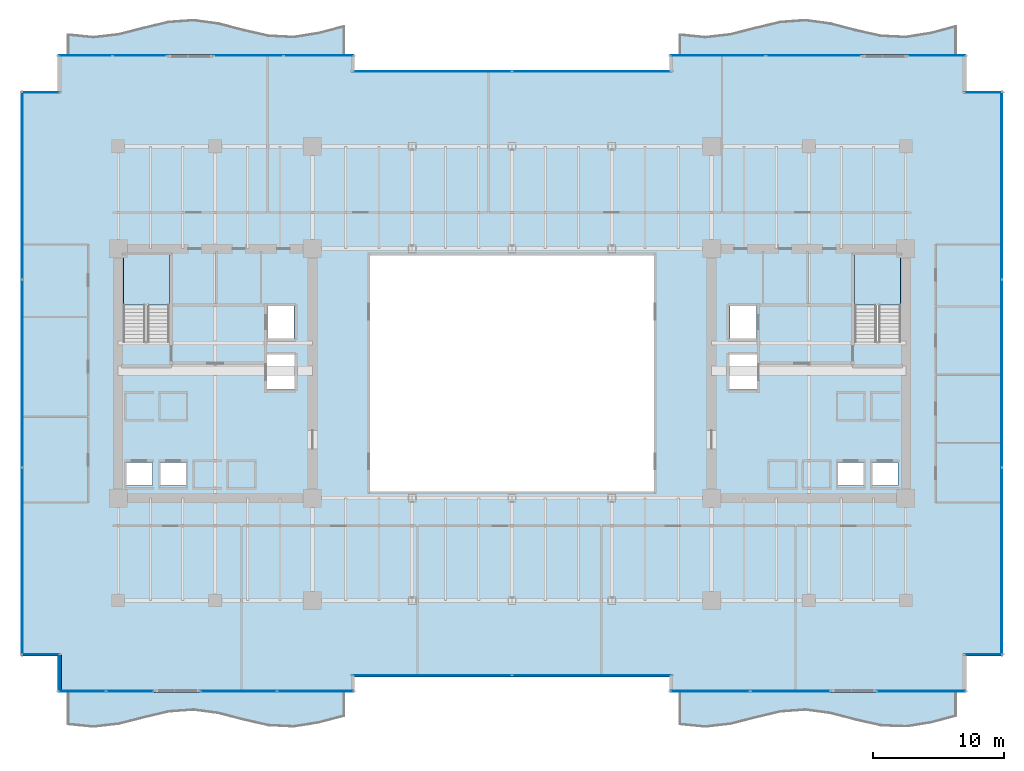
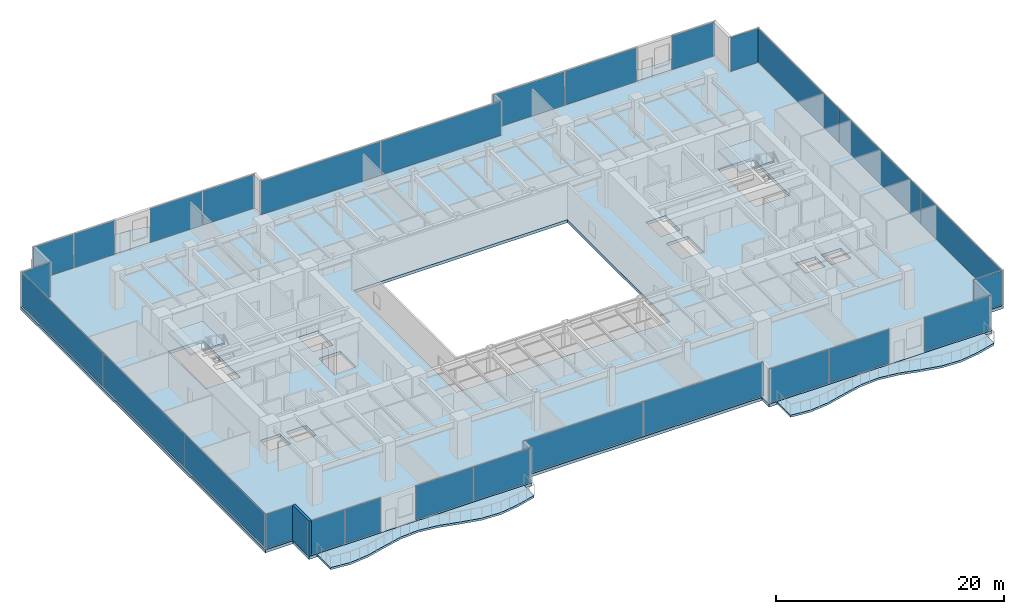
# One storey, part 23 of 31: 28 plates, 7 slabs, 1 wall, 18 elements without a shape of their own.
"""IFC4 building model written with IfcOpenShell, lengths in metres."""

import ifcopenshell
import ifcopenshell.guid

model = None  # the IFC model being written
_history = None  # IfcOwnerHistory: only IFC2X3 demands one
_inside = {}  # id of a spatial element -> (the spatial element, [elements in it])
_under = {}  # id of a project, library or spatial element -> (it, [spatial elements below it])
_declared = {}  # id of a project -> (the project, [libraries it declares])
_typed = {}  # id of a type object -> (the type object, [elements of that type])
_made_of = {}  # id of a material, layer set ... -> (it, [elements and type objects made of it])


def new_model(schema):
    """Start an empty IFC model of exactly this schema.

    Asked for "IFC4X3", IfcOpenShell would pick the latest addendum, in which some entities
    have other attributes; the version numbers below select the first issue.
    IFC2X3 requires an IfcOwnerHistory on every rooted entity: one is made here for all.
    """
    global model, _history
    if schema == "IFC4X3":
        model = ifcopenshell.file(schema_version=(4, 3, 0, 0))
    else:
        model = ifcopenshell.file(schema=schema)
    _inside.clear()
    _under.clear()
    _declared.clear()
    _typed.clear()
    _made_of.clear()
    _history = None
    if model.schema == "IFC2X3":
        org = make("IfcOrganization", Name="unknown")
        user = make(
            "IfcPersonAndOrganization",
            ThePerson=make("IfcPerson", FamilyName="unknown"),
            TheOrganization=org,
        )
        app = make(
            "IfcApplication",
            ApplicationDeveloper=org,
            Version="unknown",
            ApplicationFullName="unknown",
            ApplicationIdentifier="unknown",
        )
        _history = make(
            "IfcOwnerHistory",
            OwningUser=user,
            OwningApplication=app,
            ChangeAction="ADDED",
            CreationDate=0,
        )
    return model


def make(cls, **values):
    """One entity of the class cls with the attributes given. An attribute that is None is left unset."""
    return model.create_entity(
        cls, **{name: value for name, value in values.items() if value is not None}
    )


def rooted(cls, **values):
    """An entity with a GlobalId (a new one), such as an element, a storey or a relation."""
    return make(cls, GlobalId=ifcopenshell.guid.new(), OwnerHistory=_history, **values)


def si_unit(unit_type, name, prefix=None):
    """IfcSIUnit, for example si_unit("LENGTHUNIT", "METRE", prefix="MILLI")."""
    return make("IfcSIUnit", UnitType=unit_type, Prefix=prefix, Name=name)


def assignment(units):
    """IfcUnitAssignment: the units of a project."""
    return None if units is None else make("IfcUnitAssignment", Units=units)


def point(xyz):
    """IfcCartesianPoint."""
    return None if xyz is None else make("IfcCartesianPoint", Coordinates=xyz)


def direction(xyz):
    """IfcDirection."""
    return None if xyz is None else make("IfcDirection", DirectionRatios=xyz)


def frame(location, z_axis=None, x_axis=None):
    """IfcAxis2Placement3D, a coordinate frame: its origin and axes. An axis left out is left unset."""
    return make(
        "IfcAxis2Placement3D",
        Location=point(location),
        Axis=direction(z_axis),
        RefDirection=direction(x_axis),
    )


def frame_2d(location, x_axis=None):
    """IfcAxis2Placement2D, a coordinate frame in the plane: its origin and x axis."""
    return make(
        "IfcAxis2Placement2D", Location=point(location), RefDirection=direction(x_axis)
    )


def origin():
    """The frame at (0, 0, 0) with its axes left unset."""
    return frame((0.0, 0.0, 0.0))


def origin_2d():
    """The frame at (0, 0) in the plane with its x axis left unset."""
    return frame_2d((0.0, 0.0))


def place(relative_to, where):
    """IfcLocalPlacement: puts the frame where relative to a parent placement (None: the world)."""
    return make(
        "IfcLocalPlacement", PlacementRelTo=relative_to, RelativePlacement=where
    )


def context(
    kind, dimensions, precision=None, world=None, true_north=None, identifier=None
):
    """IfcGeometricRepresentationContext, for example the 3D "Model" context."""
    return make(
        "IfcGeometricRepresentationContext",
        ContextIdentifier=identifier,
        ContextType=kind,
        CoordinateSpaceDimension=dimensions,
        Precision=precision,
        WorldCoordinateSystem=world,
        TrueNorth=true_north,
    )


def subcontext(parent, identifier, kind, view, scale=None):
    """IfcGeometricRepresentationSubContext, for example "Body" below "Model"."""
    return make(
        "IfcGeometricRepresentationSubContext",
        ContextIdentifier=identifier,
        ContextType=kind,
        ParentContext=parent,
        TargetScale=scale,
        TargetView=view,
    )


def project(units=None, contexts=None):
    """IfcProject with its units and contexts."""
    return rooted(
        "IfcProject",
        Name="project",
        RepresentationContexts=contexts,
        UnitsInContext=assignment(units),
    )


def spatial(cls, under=None, at=None, **own):
    """A site, building, storey or space (cls), placed at a placement, below another one or the project."""
    s = rooted(cls, ObjectPlacement=at, **own)
    if under is not None:
        _under.setdefault(under.id(), (under, []))[1].append(s)
    return s


def polyline(points):
    """IfcPolyline through the points."""
    return make("IfcPolyline", Points=[point(p) for p in points])


def profile(cls, at=None, kind="AREA", **sizes):
    """A parametric profile (cls). Its sizes go by their IFC names, for example OverallWidth=200.0."""
    return make(cls, ProfileType=kind, Position=at, **sizes)


def rectangle(**sizes):
    """IfcRectangleProfileDef."""
    return profile("IfcRectangleProfileDef", **sizes)


def outline(outer, holes=None, kind="AREA"):
    """IfcArbitraryClosedProfileDef: a profile drawn as a closed curve; with holes, ...WithVoids."""
    if holes is None:
        return make("IfcArbitraryClosedProfileDef", ProfileType=kind, OuterCurve=outer)
    return make(
        "IfcArbitraryProfileDefWithVoids",
        ProfileType=kind,
        OuterCurve=outer,
        InnerCurves=holes,
    )


def extrude(swept, where, along, depth):
    """IfcExtrudedAreaSolid: the profile swept, set in the frame where, extruded along a direction by depth."""
    return make(
        "IfcExtrudedAreaSolid",
        SweptArea=swept,
        Position=where,
        ExtrudedDirection=direction(along),
        Depth=depth,
    )


def shape(context_of_items, identifier, shape_type, items):
    """IfcShapeRepresentation: the items that make up one representation, for example the "Body"."""
    return make(
        "IfcShapeRepresentation",
        ContextOfItems=context_of_items,
        RepresentationIdentifier=identifier,
        RepresentationType=shape_type,
        Items=items,
    )


def source(mapping_origin, context_of_items, identifier, shape_type, items):
    """IfcRepresentationMap: a shape defined once, which mapped items show again and again."""
    return make(
        "IfcRepresentationMap",
        MappingOrigin=mapping_origin,
        MappedRepresentation=shape(context_of_items, identifier, shape_type, items),
    )


def transform(
    local_origin,
    x_axis=None,
    y_axis=None,
    z_axis=None,
    scale=None,
    scale2=None,
    scale3=None,
    uniform=True,
):
    """IfcCartesianTransformationOperator3D, or its non-uniform kind. x_axis, y_axis, z_axis: its Axis1, 2, 3."""
    if uniform:
        return make(
            "IfcCartesianTransformationOperator3D",
            Axis1=direction(x_axis),
            Axis2=direction(y_axis),
            LocalOrigin=point(local_origin),
            Scale=scale,
            Axis3=direction(z_axis),
        )
    return make(
        "IfcCartesianTransformationOperator3DnonUniform",
        Axis1=direction(x_axis),
        Axis2=direction(y_axis),
        LocalOrigin=point(local_origin),
        Scale=scale,
        Axis3=direction(z_axis),
        Scale2=scale2,
        Scale3=scale3,
    )


def mapped(mapping_source, mapping_target):
    """IfcMappedItem: shows the shape of a source again, moved by a transform."""
    return make(
        "IfcMappedItem", MappingSource=mapping_source, MappingTarget=mapping_target
    )


def material(Name=None, Category=None):
    """IfcMaterial."""
    return make("IfcMaterial", Name=Name, Category=Category)


def layer(
    of_material, thickness, ventilated=None, Name=None, Category=None, Priority=None
):
    """IfcMaterialLayer: one layer of a wall or slab, of a material (None: an air gap)."""
    return make(
        "IfcMaterialLayer",
        Material=of_material,
        LayerThickness=thickness,
        IsVentilated=ventilated,
        Name=Name,
        Category=Category,
        Priority=Priority,
    )


def layer_set(layers, Name=None):
    """IfcMaterialLayerSet."""
    return make("IfcMaterialLayerSet", MaterialLayers=layers, LayerSetName=Name)


def made_of(thing, what):
    """Note that an element or type object is made of a material, layer set ...; save() writes the relation."""
    if what is not None:
        _made_of.setdefault(what.id(), (what, []))[1].append(thing)
    return thing


def type_object(cls, material=None, **own):
    """A type object (cls), such as IfcWallType, which elements share."""
    return made_of(rooted(cls, **own), material)


def type_shapes(of_type, sources):
    """Give a type object the sources (RepresentationMaps) that its elements show as mapped items."""
    of_type.RepresentationMaps = sources


def element(
    cls,
    number,
    at=None,
    inside=None,
    cuts=None,
    type_object=None,
    material=None,
    context=None,
    identifier="Body",
    shape_type=None,
    held_by="IfcProductDefinitionShape",
    body=None,
    shapes=None,
    **own,
):
    """One element of the class cls, such as IfcWall. Its Tag is "e" and its number.

    at: its placement. inside: the storey or other place that contains it. cuts: it is an
    opening in that element (IfcRelVoidsElement). A single representation is given by context,
    identifier, shape_type and body (its items); several are given by shapes. held_by: the class
    of the entity that holds the representations. save() writes the other relations.
    """
    e = rooted(cls, Tag="e%d" % number, ObjectPlacement=at, **own)
    if body is not None:
        shapes = [shape(context, identifier, shape_type, body)]
    if shapes is not None:
        e.Representation = make(held_by, Representations=shapes)
    if inside is not None:
        _inside.setdefault(inside.id(), (inside, []))[1].append(e)
    if cuts is not None:
        rooted(
            "IfcRelVoidsElement", RelatingBuildingElement=cuts, RelatedOpeningElement=e
        )
    if type_object is not None:
        _typed.setdefault(type_object.id(), (type_object, []))[1].append(e)
    return made_of(e, material)


def aggregate(whole, parts):
    """IfcRelAggregates: a whole, such as a stair, and the parts it consists of."""
    return rooted("IfcRelAggregates", RelatingObject=whole, RelatedObjects=parts)


def save(model, path):
    """Write the relations noted so far, then the file.

    IfcRelAggregates (storeys below a building ...), IfcRelContainedInSpatialStructure (elements
    in a storey), IfcRelDefinesByType, IfcRelAssociatesMaterial and IfcRelDeclares: one each for
    every whole, place, type object, material and project.
    """
    for whole, parts in _under.values():
        aggregate(whole, parts)
    for where, things in _inside.values():
        rooted(
            "IfcRelContainedInSpatialStructure",
            RelatedElements=things,
            RelatingStructure=where,
        )
    for kind, things in _typed.values():
        rooted("IfcRelDefinesByType", RelatedObjects=things, RelatingType=kind)
    for what, things in _made_of.values():
        rooted("IfcRelAssociatesMaterial", RelatedObjects=things, RelatingMaterial=what)
    for by, libraries in _declared.values():
        rooted("IfcRelDeclares", RelatingContext=by, RelatedDefinitions=libraries)
    model.write(path)


model = new_model("IFC4")

# Units and contexts
model_context = context("Model", 3, precision=1e-05, world=origin(), true_north=direction((0.0, 1.0)))
body_context = subcontext(model_context, "Body", "Model", "MODEL_VIEW")
ifc_project = project(units=[si_unit("LENGTHUNIT", "METRE"), si_unit("AREAUNIT", "SQUARE_METRE"), si_unit("VOLUMEUNIT", "CUBIC_METRE"), si_unit("PLANEANGLEUNIT", "RADIAN"), si_unit("MASSUNIT", "GRAM", prefix="KILO")], contexts=[model_context])

# Site, building, storey
site_placement = place(None, origin())
site = spatial("IfcSite", under=ifc_project, at=site_placement, CompositionType="ELEMENT")
building_placement = place(site_placement, origin())
building = spatial("IfcBuilding", under=site, at=building_placement, Name="Haelvirn Gate Laboratories", CompositionType="ELEMENT")
storey_placement = place(building_placement, frame((0.0, 0.0, 62.10009765625)))
storey = spatial("IfcBuildingStorey", under=building, at=storey_placement, Name="L15", CompositionType="ELEMENT", Elevation=62.10009765625)

# Stair, slab
ifc_material_1 = material(Name="Concrete C40/50", Category="concrete")
stair_type = type_object("IfcStairType", Name="ST-DOG-1650-R22", PredefinedType="HALF_TURN_STAIR", material=ifc_material_1)
stair_1_placement = place(storey_placement, origin())
stair_1 = element("IfcStair", 1, at=stair_1_placement, inside=storey, type_object=stair_type, Name="L15 Escape Stair ST1", PredefinedType="HALF_TURN_STAIR")
ifc_layer_1 = layer(ifc_material_1, 0.199951171875, Name="SL-STAIR-LND")
ifc_layer_set_1 = layer_set([ifc_layer_1], Name="Concrete C40/50")
slab_type_1 = type_object("IfcSlabType", Name="SL-STAIR-LND", PredefinedType="LANDING", material=ifc_layer_set_1)
slab_1_placement = place(storey_placement, frame((0.0, 0.0, 1.849853515625)))
slab_1 = element("IfcSlab", 2, at=slab_1_placement, type_object=slab_type_1, Name="ST1 landing 1", PredefinedType="LANDING", context=body_context, shape_type="SweptSolid", body=[
    extrude(outline(polyline([(11.300048828125, 29.5), (11.300048828125, 33.35009765625), (7.800048828125, 33.35009765625), (7.800048828125, 29.5), (11.300048828125, 29.5)])), origin(), (0.0, 0.0, 1.0), 0.199951171875),
])
aggregate(stair_1, [slab_1])

stair_2_placement = place(storey_placement, origin())
stair_2 = element("IfcStair", 3, at=stair_2_placement, inside=storey, type_object=stair_type, Name="L15 Escape Stair ST2", PredefinedType="HALF_TURN_STAIR")
slab_2_placement = place(storey_placement, frame((0.0, 0.0, 1.849853515625)))
slab_2 = element("IfcSlab", 4, at=slab_2_placement, type_object=slab_type_1, Name="ST2 landing 1", PredefinedType="LANDING", context=body_context, shape_type="SweptSolid", body=[
    extrude(outline(polyline([(67.0, 29.5), (67.0, 33.35009765625), (63.5, 33.35009765625), (63.5, 29.5), (67.0, 29.5)])), origin(), (0.0, 0.0, 1.0), 0.199951171875),
])
aggregate(stair_2, [slab_2])

# Slabs
ifc_layer_2 = layer(ifc_material_1, 0.22509765625, Name="SL-WB-P2")
ifc_layer_set_2 = layer_set([ifc_layer_2], Name="Concrete C40/50")
slab_type_2 = type_object("IfcSlabType", Name="SL-WB-P2", PredefinedType="FLOOR", material=ifc_layer_set_2)
slab_3_placement = place(storey_placement, frame((0.0, 0.0, -0.22509765625)))
element("IfcSlab", 5, at=slab_3_placement, inside=storey, type_object=slab_type_2, Name="L15 Soft-Wave Balcony WL-S", PredefinedType="FLOOR", context=body_context, shape_type="SweptSolid", body=[
    extrude(outline(polyline([(3.60009765625, -2.40966796875), (5.509033203125, -2.599853515625), (7.418212890625, -2.385986328125), (9.327392578125, -1.901123046875), (11.236328125, -1.446533203125), (13.1455078125, -1.30517578125), (15.054443359375, -1.564453125), (16.963623046875, -2.0634765625), (18.872802734375, -2.491943359375), (20.78173828125, -2.58349609375), (22.69091796875, -2.281005859375), (24.60009765625, -1.77294921875), (24.60009765625, 0.0), (22.69091796875, 0.0), (20.78173828125, 0.0), (18.872802734375, 0.0), (16.963623046875, 0.0), (15.054443359375, 0.0), (13.1455078125, 0.0), (11.236328125, 0.0), (9.327392578125, 0.0), (7.418212890625, 0.0), (5.509033203125, 0.0), (3.60009765625, 0.0), (3.60009765625, -2.40966796875)])), origin(), (0.0, 0.0, 1.0), 0.22509765625),
])
slab_4_placement = place(storey_placement, frame((0.0, 0.0, -0.22509765625)))
element("IfcSlab", 6, at=slab_4_placement, inside=storey, type_object=slab_type_2, Name="L15 Soft-Wave Balcony WL-N", PredefinedType="FLOOR", context=body_context, shape_type="SweptSolid", body=[
    extrude(outline(polyline([(3.60009765625, 48.60009765625), (5.509033203125, 48.60009765625), (7.418212890625, 48.60009765625), (9.327392578125, 48.60009765625), (11.236328125, 48.60009765625), (13.1455078125, 48.60009765625), (15.054443359375, 48.60009765625), (16.963623046875, 48.60009765625), (18.872802734375, 48.60009765625), (20.78173828125, 48.60009765625), (22.69091796875, 48.60009765625), (24.60009765625, 48.60009765625), (24.60009765625, 50.72705078125), (22.69091796875, 50.218994140625), (20.78173828125, 49.91650390625), (18.872802734375, 50.008056640625), (16.963623046875, 50.4365234375), (15.054443359375, 50.935546875), (13.1455078125, 51.19482421875), (11.236328125, 51.053466796875), (9.327392578125, 50.598876953125), (7.418212890625, 50.114013671875), (5.509033203125, 49.900146484375), (3.60009765625, 50.09033203125), (3.60009765625, 48.60009765625)])), origin(), (0.0, 0.0, 1.0), 0.22509765625),
])
slab_5_placement = place(storey_placement, frame((0.0, 0.0, -0.22509765625)))
element("IfcSlab", 7, at=slab_5_placement, inside=storey, type_object=slab_type_2, Name="L15 Soft-Wave Balcony EL-S", PredefinedType="FLOOR", context=body_context, shape_type="SweptSolid", body=[
    extrude(outline(polyline([(50.199951171875, -2.40966796875), (52.109130859375, -2.599853515625), (54.018310546875, -2.385986328125), (55.92724609375, -1.901123046875), (57.83642578125, -1.446533203125), (59.74560546875, -1.30517578125), (61.654541015625, -1.564453125), (63.563720703125, -2.0634765625), (65.47265625, -2.491943359375), (67.3818359375, -2.58349609375), (69.291015625, -2.281005859375), (71.199951171875, -1.77294921875), (71.199951171875, 0.0), (69.291015625, 0.0), (67.3818359375, 0.0), (65.47265625, 0.0), (63.563720703125, 0.0), (61.654541015625, 0.0), (59.74560546875, 0.0), (57.83642578125, 0.0), (55.92724609375, 0.0), (54.018310546875, 0.0), (52.109130859375, 0.0), (50.199951171875, 0.0), (50.199951171875, -2.40966796875)])), origin(), (0.0, 0.0, 1.0), 0.22509765625),
])
slab_6_placement = place(storey_placement, frame((0.0, 0.0, -0.22509765625)))
element("IfcSlab", 8, at=slab_6_placement, inside=storey, type_object=slab_type_2, Name="L15 Soft-Wave Balcony EL-N", PredefinedType="FLOOR", context=body_context, shape_type="SweptSolid", body=[
    extrude(outline(polyline([(50.199951171875, 48.60009765625), (52.109130859375, 48.60009765625), (54.018310546875, 48.60009765625), (55.92724609375, 48.60009765625), (57.83642578125, 48.60009765625), (59.74560546875, 48.60009765625), (61.654541015625, 48.60009765625), (63.563720703125, 48.60009765625), (65.47265625, 48.60009765625), (67.3818359375, 48.60009765625), (69.291015625, 48.60009765625), (71.199951171875, 48.60009765625), (71.199951171875, 50.72705078125), (69.291015625, 50.218994140625), (67.3818359375, 49.91650390625), (65.47265625, 50.008056640625), (63.563720703125, 50.4365234375), (61.654541015625, 50.935546875), (59.74560546875, 51.19482421875), (57.83642578125, 51.053466796875), (55.92724609375, 50.598876953125), (54.018310546875, 50.114013671875), (52.109130859375, 49.900146484375), (50.199951171875, 50.09033203125), (50.199951171875, 48.60009765625)])), origin(), (0.0, 0.0, 1.0), 0.22509765625),
])
ifc_material_2 = material(Name="Concrete C50/60", Category="concrete")
ifc_layer_3 = layer(ifc_material_2, 0.320068359375, Name="SL-Z1-320")
ifc_layer_set_3 = layer_set([ifc_layer_3], Name="Concrete C50/60")
slab_type_3 = type_object("IfcSlabType", Name="SL-Z1-320", PredefinedType="FLOOR", material=ifc_layer_set_3)
slab_7_placement = place(storey_placement, frame((0.0, 0.0, -0.320068359375)))
element("IfcSlab", 9, at=slab_7_placement, inside=storey, type_object=slab_type_3, Name="L15 Structural Slab MAIN", PredefinedType="FLOOR", context=body_context, shape_type="SweptSolid", body=[
    extrude(outline(polyline([(2.800048828125, 0.0), (25.39990234375, 0.0), (25.39990234375, 1.199951171875), (49.39990234375, 1.199951171875), (49.39990234375, 0.0), (72.0, 0.0), (72.0, 2.800048828125), (74.800048828125, 2.800048828125), (74.800048828125, 45.800048828125), (72.0, 45.800048828125), (72.0, 48.60009765625), (49.39990234375, 48.60009765625), (49.39990234375, 47.39990234375), (25.39990234375, 47.39990234375), (25.39990234375, 48.60009765625), (2.800048828125, 48.60009765625), (2.800048828125, 45.800048828125), (0.0, 45.800048828125), (0.0, 2.800048828125), (2.800048828125, 2.800048828125), (2.800048828125, 0.0)]), holes=[polyline([(26.60009765625, 15.300048828125), (48.199951171875, 15.300048828125), (48.199951171875, 33.300048828125), (26.60009765625, 33.300048828125), (26.60009765625, 15.300048828125)]), polyline([(11.300048828125, 26.780029296875), (11.300048828125, 33.35009765625), (7.800048828125, 33.35009765625), (7.800048828125, 26.780029296875), (11.300048828125, 26.780029296875)]), polyline([(67.0, 26.780029296875), (67.0, 33.35009765625), (63.5, 33.35009765625), (63.5, 26.780029296875), (67.0, 26.780029296875)]), polyline([(7.989990234375, 15.77001953125), (10.010009765625, 15.77001953125), (10.010009765625, 17.510009765625), (7.989990234375, 17.510009765625), (7.989990234375, 15.77001953125)]), polyline([(10.590087890625, 15.77001953125), (12.610107421875, 15.77001953125), (12.610107421875, 17.510009765625), (10.590087890625, 17.510009765625), (10.590087890625, 15.77001953125)]), polyline([(18.7900390625, 26.969970703125), (20.81005859375, 26.969970703125), (20.81005859375, 29.510009765625), (18.7900390625, 29.510009765625), (18.7900390625, 26.969970703125)]), polyline([(18.68994140625, 23.070068359375), (20.909912109375, 23.070068359375), (20.909912109375, 25.81005859375), (18.68994140625, 25.81005859375), (18.68994140625, 23.070068359375)]), polyline([(64.7900390625, 15.77001953125), (66.81005859375, 15.77001953125), (66.81005859375, 17.510009765625), (64.7900390625, 17.510009765625), (64.7900390625, 15.77001953125)]), polyline([(62.18994140625, 15.77001953125), (64.2099609375, 15.77001953125), (64.2099609375, 17.510009765625), (62.18994140625, 17.510009765625), (62.18994140625, 15.77001953125)]), polyline([(53.989990234375, 26.969970703125), (56.010009765625, 26.969970703125), (56.010009765625, 29.510009765625), (53.989990234375, 29.510009765625), (53.989990234375, 26.969970703125)]), polyline([(53.889892578125, 23.070068359375), (56.110107421875, 23.070068359375), (56.110107421875, 25.81005859375), (53.889892578125, 25.81005859375), (53.889892578125, 23.070068359375)])]), origin(), (0.0, 0.0, 1.0), 0.320068359375),
])

# Curtain wall, plates
ifc_material_3 = material(Name="Anodised bronze unitised aluminium & triple low-E glass", Category="aluminium")
ifc_layer_4 = layer(ifc_material_3, 0.18408203125, Name="CW-SYS-2")
ifc_layer_set_4 = layer_set([ifc_layer_4], Name="Anodised bronze unitised aluminium & triple low-E glass")
curtain_wall_type_1 = type_object("IfcCurtainWallType", Name="CW-SYS-2", PredefinedType="NOTDEFINED", material=ifc_layer_set_4)
curtain_wall_1_placement = place(storey_placement, origin())
curtain_wall_1 = element("IfcCurtainWall", 10, at=curtain_wall_1_placement, inside=storey, type_object=curtain_wall_type_1, Name="L15 Unitised Curtain Wall CW-L15-P0-E02-1", PredefinedType="NOTDEFINED")
ifc_material_4 = material(Name="Bronze solar-control triple low-E IGU 44 mm", Category="glass")
ifc_layer_5 = layer(ifc_material_4, 0.0439453125, Name="CWP-IGU-44")
ifc_layer_set_5 = layer_set([ifc_layer_5], Name="Bronze solar-control triple low-E IGU 44 mm")
plate_type_1 = type_object("IfcPlateType", Name="CWP-IGU-44", PredefinedType="CURTAIN_PANEL", material=ifc_layer_set_5)
shared_shape_1 = source(origin(), body_context, "Body", "SweptSolid", [
    extrude(rectangle(XDim=12.12744140625, YDim=0.0439453125, at=origin_2d()), origin(), (0.0, 0.0, 1.0), 3.639892578125),
])
plate_1_placement = place(storey_placement, frame((31.298828125, 1.300048828125, 0.06982421875), z_axis=(0.0, 0.0, 1.0), x_axis=(1.0, 0.0, 0.0)))
plate_1 = element("IfcPlate", 11, at=plate_1_placement, type_object=plate_type_1, Name="CW2 panel 1.1", PredefinedType="CURTAIN_PANEL", context=body_context, shape_type="MappedRepresentation", body=[
    mapped(shared_shape_1, transform((0.0, 0.0, 0.0), scale=1.0)),
])
plate_2_placement = place(storey_placement, frame((43.501220703125, 1.300048828125, 0.06982421875), z_axis=(0.0, 0.0, 1.0), x_axis=(1.0, 0.0, 0.0)))
plate_2 = element("IfcPlate", 12, at=plate_2_placement, type_object=plate_type_1, Name="CW2 panel 2.1", PredefinedType="CURTAIN_PANEL", context=body_context, shape_type="MappedRepresentation", body=[
    mapped(shared_shape_1, transform((0.0, 0.0, 0.0), scale=1.0)),
])
aggregate(curtain_wall_1, [plate_1, plate_2])

curtain_wall_2_placement = place(storey_placement, origin())
curtain_wall_2 = element("IfcCurtainWall", 13, at=curtain_wall_2_placement, inside=storey, type_object=curtain_wall_type_1, Name="L15 Unitised Curtain Wall CW-L15-P0-E12-1", PredefinedType="NOTDEFINED")
plate_3_placement = place(storey_placement, frame((31.298828125, 47.300048828125, 0.06982421875), z_axis=(0.0, 0.0, 1.0), x_axis=(1.0, 0.0, 0.0)))
plate_3 = element("IfcPlate", 14, at=plate_3_placement, type_object=plate_type_1, Name="CW2 panel 1.1", PredefinedType="CURTAIN_PANEL", context=body_context, shape_type="MappedRepresentation", body=[
    mapped(shared_shape_1, transform((0.0, 0.0, 0.0), scale=1.0)),
])
plate_4_placement = place(storey_placement, frame((43.501220703125, 47.300048828125, 0.06982421875), z_axis=(0.0, 0.0, 1.0), x_axis=(1.0, 0.0, 0.0)))
plate_4 = element("IfcPlate", 15, at=plate_4_placement, type_object=plate_type_1, Name="CW2 panel 2.1", PredefinedType="CURTAIN_PANEL", context=body_context, shape_type="MappedRepresentation", body=[
    mapped(shared_shape_1, transform((0.0, 0.0, 0.0), scale=1.0)),
])
aggregate(curtain_wall_2, [plate_3, plate_4])

# Curtain wall, plate
ifc_layer_6 = layer(ifc_material_3, 0.181884765625, Name="CW-SYS-5")
ifc_layer_set_6 = layer_set([ifc_layer_6], Name="Anodised bronze unitised aluminium & triple low-E glass")
curtain_wall_type_2 = type_object("IfcCurtainWallType", Name="CW-SYS-5", PredefinedType="NOTDEFINED", material=ifc_layer_set_6)
curtain_wall_3_placement = place(storey_placement, origin())
curtain_wall_3 = element("IfcCurtainWall", 16, at=curtain_wall_3_placement, inside=storey, type_object=curtain_wall_type_2, Name="L15 Unitised Curtain Wall CW-L15-P0-E06-1", PredefinedType="NOTDEFINED")
ifc_material_5 = material(Name="Clear low-iron notched-corner triple IGU 42 mm", Category="glass")
ifc_layer_7 = layer(ifc_material_5, 0.0419921875, Name="CWP-NTC-42")
ifc_layer_set_7 = layer_set([ifc_layer_7], Name="Clear low-iron notched-corner triple IGU 42 mm")
plate_type_2 = type_object("IfcPlateType", Name="CWP-NTC-42", PredefinedType="CURTAIN_PANEL", material=ifc_layer_set_7)
shared_shape_2 = source(origin(), body_context, "Body", "SweptSolid", [
    extrude(rectangle(XDim=2.8798828125, YDim=0.0419921875, at=origin_2d()), origin(), (0.0, 0.0, 1.0), 3.64990234375),
])
type_shapes(plate_type_2, [shared_shape_2])
plate_5_placement = place(storey_placement, frame((73.280029296875, 2.89990234375, 0.06494140625), z_axis=(0.0, 0.0, 1.0), x_axis=(1.0, 0.0, 0.0)))
plate_5 = element("IfcPlate", 17, at=plate_5_placement, type_object=plate_type_2, Name="CW5 panel 1.1", PredefinedType="CURTAIN_PANEL", context=body_context, shape_type="MappedRepresentation", body=[
    mapped(shared_shape_2, transform((0.0, 0.0, 0.0), scale=1.0)),
])
aggregate(curtain_wall_3, [plate_5])

curtain_wall_4_placement = place(storey_placement, origin())
curtain_wall_4 = element("IfcCurtainWall", 18, at=curtain_wall_4_placement, inside=storey, type_object=curtain_wall_type_2, Name="L15 Unitised Curtain Wall CW-L15-P0-E08-1", PredefinedType="NOTDEFINED")
plate_6_placement = place(storey_placement, frame((73.280029296875, 45.699951171875, 0.06494140625), z_axis=(0.0, 0.0, 1.0), x_axis=(1.0, 0.0, 0.0)))
plate_6 = element("IfcPlate", 19, at=plate_6_placement, type_object=plate_type_2, Name="CW5 panel 1.1", PredefinedType="CURTAIN_PANEL", context=body_context, shape_type="MappedRepresentation", body=[
    mapped(shared_shape_2, transform((0.0, 0.0, 0.0), scale=1.0)),
])
aggregate(curtain_wall_4, [plate_6])

curtain_wall_5_placement = place(storey_placement, origin())
curtain_wall_5 = element("IfcCurtainWall", 20, at=curtain_wall_5_placement, inside=storey, type_object=curtain_wall_type_2, Name="L15 Unitised Curtain Wall CW-L15-P0-E16-1", PredefinedType="NOTDEFINED")
plate_7_placement = place(storey_placement, frame((1.52001953125, 45.699951171875, 0.06494140625), z_axis=(0.0, 0.0, 1.0), x_axis=(1.0, 0.0, 0.0)))
plate_7 = element("IfcPlate", 21, at=plate_7_placement, type_object=plate_type_2, Name="CW5 panel 1.1", PredefinedType="CURTAIN_PANEL", context=body_context, shape_type="MappedRepresentation", body=[
    mapped(shared_shape_2, transform((0.0, 0.0, 0.0), scale=1.0)),
])
aggregate(curtain_wall_5, [plate_7])

curtain_wall_6_placement = place(storey_placement, origin())
curtain_wall_6 = element("IfcCurtainWall", 22, at=curtain_wall_6_placement, inside=storey, type_object=curtain_wall_type_2, Name="L15 Unitised Curtain Wall CW-L15-P0-E18-1", PredefinedType="NOTDEFINED")
plate_8_placement = place(storey_placement, frame((1.52001953125, 2.89990234375, 0.06494140625), z_axis=(0.0, 0.0, 1.0), x_axis=(1.0, 0.0, 0.0)))
plate_8 = element("IfcPlate", 23, at=plate_8_placement, type_object=plate_type_2, Name="CW5 panel 1.1", PredefinedType="CURTAIN_PANEL", context=body_context, shape_type="MappedRepresentation", body=[
    mapped(shared_shape_2, transform((0.0, 0.0, 0.0), scale=1.0)),
])
aggregate(curtain_wall_6, [plate_8])

# Curtain wall, plates
curtain_wall_7_placement = place(storey_placement, origin())
curtain_wall_7 = element("IfcCurtainWall", 24, at=curtain_wall_7_placement, inside=storey, type_object=curtain_wall_type_1, Name="L15 Unitised Curtain Wall CW-L15-P0-E07", PredefinedType="NOTDEFINED")
shared_shape_3 = source(origin(), body_context, "Body", "SweptSolid", [
    extrude(rectangle(XDim=14.220947265625, YDim=0.0439453125, at=origin_2d()), origin(), (0.0, 0.0, 1.0), 3.639892578125),
])
plate_9_placement = place(storey_placement, frame((74.699951171875, 9.9853515625, 0.06982421875), z_axis=(0.0, 0.0, 1.0), x_axis=(0.0, 1.0, 0.0)))
plate_9 = element("IfcPlate", 25, at=plate_9_placement, type_object=plate_type_1, Name="CW2 panel 1.1", PredefinedType="CURTAIN_PANEL", context=body_context, shape_type="MappedRepresentation", body=[
    mapped(shared_shape_3, transform((0.0, 0.0, 0.0), scale=1.0)),
])
plate_10_placement = place(storey_placement, frame((74.699951171875, 38.614501953125, 0.06982421875), z_axis=(0.0, 0.0, 1.0), x_axis=(0.0, 1.0, 0.0)))
plate_10 = element("IfcPlate", 26, at=plate_10_placement, type_object=plate_type_1, Name="CW2 panel 3.1", PredefinedType="CURTAIN_PANEL", context=body_context, shape_type="MappedRepresentation", body=[
    mapped(shared_shape_3, transform((0.0, 0.0, 0.0), scale=1.0)),
])

curtain_wall_8_placement = place(storey_placement, origin())
curtain_wall_8 = element("IfcCurtainWall", 27, at=curtain_wall_8_placement, inside=storey, type_object=curtain_wall_type_1, Name="L15 Unitised Curtain Wall CW-L15-P0-E17", PredefinedType="NOTDEFINED")
plate_11_placement = place(storey_placement, frame((0.10009765625, 38.614501953125, 0.06982421875), z_axis=(0.0, 0.0, 1.0), x_axis=(0.0, -1.0, 0.0)))
plate_11 = element("IfcPlate", 28, at=plate_11_placement, type_object=plate_type_1, Name="CW2 panel 1.1", PredefinedType="CURTAIN_PANEL", context=body_context, shape_type="MappedRepresentation", body=[
    mapped(shared_shape_3, transform((0.0, 0.0, 0.0), scale=1.0)),
])
plate_12_placement = place(storey_placement, frame((0.10009765625, 9.9853515625, 0.06982421875), z_axis=(0.0, 0.0, 1.0), x_axis=(0.0, -1.0, 0.0)))
plate_12 = element("IfcPlate", 29, at=plate_12_placement, type_object=plate_type_1, Name="CW2 panel 3.1", PredefinedType="CURTAIN_PANEL", context=body_context, shape_type="MappedRepresentation", body=[
    mapped(shared_shape_3, transform((0.0, 0.0, 0.0), scale=1.0)),
])

# Plate
shared_shape_4 = source(origin(), body_context, "Body", "SweptSolid", [
    extrude(rectangle(XDim=14.25830078125, YDim=0.0439453125, at=origin_2d()), origin(), (0.0, 0.0, 1.0), 3.639892578125),
])
plate_13_placement = place(storey_placement, frame((74.699951171875, 24.300048828125, 0.06982421875), z_axis=(0.0, 0.0, 1.0), x_axis=(0.0, 1.0, 0.0)))
plate_13 = element("IfcPlate", 30, at=plate_13_placement, type_object=plate_type_1, Name="CW2 panel 2.1", PredefinedType="CURTAIN_PANEL", context=body_context, shape_type="MappedRepresentation", body=[
    mapped(shared_shape_4, transform((0.0, 0.0, 0.0), scale=1.0)),
])

aggregate(curtain_wall_7, [plate_9, plate_13, plate_10])

plate_14_placement = place(storey_placement, frame((0.10009765625, 24.300048828125, 0.06982421875), z_axis=(0.0, 0.0, 1.0), x_axis=(0.0, -1.0, 0.0)))
plate_14 = element("IfcPlate", 31, at=plate_14_placement, type_object=plate_type_1, Name="CW2 panel 2.1", PredefinedType="CURTAIN_PANEL", context=body_context, shape_type="MappedRepresentation", body=[
    mapped(shared_shape_4, transform((0.0, 0.0, 0.0), scale=1.0)),
])

aggregate(curtain_wall_8, [plate_11, plate_14, plate_12])

# Curtain wall, plate
curtain_wall_9_placement = place(storey_placement, origin())
curtain_wall_9 = element("IfcCurtainWall", 32, at=curtain_wall_9_placement, inside=storey, type_object=curtain_wall_type_1, Name="L15 Unitised Curtain Wall CW-L15-P0-E10-2", PredefinedType="NOTDEFINED")
shared_shape_5 = source(origin(), body_context, "Body", "SweptSolid", [
    extrude(rectangle(XDim=4.360107421875, YDim=0.0439453125, at=origin_2d()), origin(), (0.0, 0.0, 1.0), 3.639892578125),
])
plate_15_placement = place(storey_placement, frame((69.7451171875, 48.5, 0.06982421875), z_axis=(0.0, 0.0, 1.0), x_axis=(1.0, 0.0, 0.0)))
plate_15 = element("IfcPlate", 33, at=plate_15_placement, type_object=plate_type_1, Name="CW2 panel 1.1", PredefinedType="CURTAIN_PANEL", context=body_context, shape_type="MappedRepresentation", body=[
    mapped(shared_shape_5, transform((0.0, 0.0, 0.0), scale=1.0)),
])
aggregate(curtain_wall_9, [plate_15])

# Curtain wall, plates
curtain_wall_10_placement = place(storey_placement, origin())
curtain_wall_10 = element("IfcCurtainWall", 34, at=curtain_wall_10_placement, inside=storey, type_object=curtain_wall_type_1, Name="L15 Unitised Curtain Wall CW-L15-P0-E10-1", PredefinedType="NOTDEFINED")
shared_shape_6 = source(origin(), body_context, "Body", "SweptSolid", [
    extrude(rectangle(XDim=7.21240234375, YDim=0.0439453125, at=origin_2d()), origin(), (0.0, 0.0, 1.0), 3.639892578125),
])
plate_16_placement = place(storey_placement, frame((53.081298828125, 48.5, 0.06982421875), z_axis=(0.0, 0.0, 1.0), x_axis=(1.0, 0.0, 0.0)))
plate_16 = element("IfcPlate", 35, at=plate_16_placement, type_object=plate_type_1, Name="CW2 panel 1.1", PredefinedType="CURTAIN_PANEL", context=body_context, shape_type="MappedRepresentation", body=[
    mapped(shared_shape_6, transform((0.0, 0.0, 0.0), scale=1.0)),
])
plate_17_placement = place(storey_placement, frame((60.36865234375, 48.5, 0.06982421875), z_axis=(0.0, 0.0, 1.0), x_axis=(1.0, 0.0, 0.0)))
plate_17 = element("IfcPlate", 36, at=plate_17_placement, type_object=plate_type_1, Name="CW2 panel 2.1", PredefinedType="CURTAIN_PANEL", context=body_context, shape_type="MappedRepresentation", body=[
    mapped(shared_shape_6, transform((0.0, 0.0, 0.0), scale=1.0)),
])
aggregate(curtain_wall_10, [plate_16, plate_17])

# Curtain wall, plate
curtain_wall_11_placement = place(storey_placement, origin())
curtain_wall_11 = element("IfcCurtainWall", 37, at=curtain_wall_11_placement, inside=storey, type_object=curtain_wall_type_1, Name="L15 Unitised Curtain Wall CW-L15-P0-E04-2", PredefinedType="NOTDEFINED")
shared_shape_7 = source(origin(), body_context, "Body", "SweptSolid", [
    extrude(rectangle(XDim=6.719970703125, YDim=0.0439453125, at=origin_2d()), origin(), (0.0, 0.0, 1.0), 3.639892578125),
])
plate_18_placement = place(storey_placement, frame((68.56494140625, 0.10009765625, 0.06982421875), z_axis=(0.0, 0.0, 1.0), x_axis=(1.0, 0.0, 0.0)))
plate_18 = element("IfcPlate", 38, at=plate_18_placement, type_object=plate_type_1, Name="CW2 panel 1.1", PredefinedType="CURTAIN_PANEL", context=body_context, shape_type="MappedRepresentation", body=[
    mapped(shared_shape_7, transform((0.0, 0.0, 0.0), scale=1.0)),
])
aggregate(curtain_wall_11, [plate_18])

# Curtain wall, plates
curtain_wall_12_placement = place(storey_placement, origin())
curtain_wall_12 = element("IfcCurtainWall", 39, at=curtain_wall_12_placement, inside=storey, type_object=curtain_wall_type_1, Name="L15 Unitised Curtain Wall CW-L15-P0-E04-1", PredefinedType="NOTDEFINED")
shared_shape_8 = source(origin(), body_context, "Body", "SweptSolid", [
    extrude(rectangle(XDim=6.032470703125, YDim=0.0439453125, at=origin_2d()), origin(), (0.0, 0.0, 1.0), 3.639892578125),
])
plate_19_placement = place(storey_placement, frame((52.4912109375, 0.10009765625, 0.06982421875), z_axis=(0.0, 0.0, 1.0), x_axis=(1.0, 0.0, 0.0)))
plate_19 = element("IfcPlate", 40, at=plate_19_placement, type_object=plate_type_1, Name="CW2 panel 1.1", PredefinedType="CURTAIN_PANEL", context=body_context, shape_type="MappedRepresentation", body=[
    mapped(shared_shape_8, transform((0.0, 0.0, 0.0), scale=1.0)),
])
plate_20_placement = place(storey_placement, frame((58.5986328125, 0.10009765625, 0.06982421875), z_axis=(0.0, 0.0, 1.0), x_axis=(1.0, 0.0, 0.0)))
plate_20 = element("IfcPlate", 41, at=plate_20_placement, type_object=plate_type_1, Name="CW2 panel 2.1", PredefinedType="CURTAIN_PANEL", context=body_context, shape_type="MappedRepresentation", body=[
    mapped(shared_shape_8, transform((0.0, 0.0, 0.0), scale=1.0)),
])
aggregate(curtain_wall_12, [plate_19, plate_20])

curtain_wall_13_placement = place(storey_placement, origin())
curtain_wall_13 = element("IfcCurtainWall", 42, at=curtain_wall_13_placement, inside=storey, type_object=curtain_wall_type_1, Name="L15 Unitised Curtain Wall CW-L15-P0-E00-1", PredefinedType="NOTDEFINED")
shared_shape_9 = source(origin(), body_context, "Body", "SweptSolid", [
    extrude(rectangle(XDim=3.572509765625, YDim=0.0439453125, at=origin_2d()), origin(), (0.0, 0.0, 1.0), 3.639892578125),
])
plate_21_placement = place(storey_placement, frame((4.6611328125, 0.10009765625, 0.06982421875), z_axis=(0.0, 0.0, 1.0), x_axis=(1.0, 0.0, 0.0)))
plate_21 = element("IfcPlate", 43, at=plate_21_placement, type_object=plate_type_1, Name="CW2 panel 1.1", PredefinedType="CURTAIN_PANEL", context=body_context, shape_type="MappedRepresentation", body=[
    mapped(shared_shape_9, transform((0.0, 0.0, 0.0), scale=1.0)),
])
plate_22_placement = place(storey_placement, frame((8.308837890625, 0.10009765625, 0.06982421875), z_axis=(0.0, 0.0, 1.0), x_axis=(1.0, 0.0, 0.0)))
plate_22 = element("IfcPlate", 44, at=plate_22_placement, type_object=plate_type_1, Name="CW2 panel 2.1", PredefinedType="CURTAIN_PANEL", context=body_context, shape_type="MappedRepresentation", body=[
    mapped(shared_shape_9, transform((0.0, 0.0, 0.0), scale=1.0)),
])
aggregate(curtain_wall_13, [plate_21, plate_22])

curtain_wall_14_placement = place(storey_placement, origin())
curtain_wall_14 = element("IfcCurtainWall", 45, at=curtain_wall_14_placement, inside=storey, type_object=curtain_wall_type_1, Name="L15 Unitised Curtain Wall CW-L15-P0-E00-2", PredefinedType="NOTDEFINED")
shared_shape_10 = source(origin(), body_context, "Body", "SweptSolid", [
    extrude(rectangle(XDim=5.782470703125, YDim=0.0439453125, at=origin_2d()), origin(), (0.0, 0.0, 1.0), 3.639892578125),
])
plate_23_placement = place(storey_placement, frame((16.576171875, 0.10009765625, 0.06982421875), z_axis=(0.0, 0.0, 1.0), x_axis=(1.0, 0.0, 0.0)))
plate_23 = element("IfcPlate", 46, at=plate_23_placement, type_object=plate_type_1, Name="CW2 panel 1.1", PredefinedType="CURTAIN_PANEL", context=body_context, shape_type="MappedRepresentation", body=[
    mapped(shared_shape_10, transform((0.0, 0.0, 0.0), scale=1.0)),
])
plate_24_placement = place(storey_placement, frame((22.433837890625, 0.10009765625, 0.06982421875), z_axis=(0.0, 0.0, 1.0), x_axis=(1.0, 0.0, 0.0)))
plate_24 = element("IfcPlate", 47, at=plate_24_placement, type_object=plate_type_1, Name="CW2 panel 2.1", PredefinedType="CURTAIN_PANEL", context=body_context, shape_type="MappedRepresentation", body=[
    mapped(shared_shape_10, transform((0.0, 0.0, 0.0), scale=1.0)),
])
aggregate(curtain_wall_14, [plate_23, plate_24])

curtain_wall_15_placement = place(storey_placement, origin())
curtain_wall_15 = element("IfcCurtainWall", 48, at=curtain_wall_15_placement, inside=storey, type_object=curtain_wall_type_1, Name="L15 Unitised Curtain Wall CW-L15-P0-E14-1", PredefinedType="NOTDEFINED")
shared_shape_11 = source(origin(), body_context, "Body", "SweptSolid", [
    extrude(rectangle(XDim=4.072509765625, YDim=0.0439453125, at=origin_2d()), origin(), (0.0, 0.0, 1.0), 3.639892578125),
])
plate_25_placement = place(storey_placement, frame((4.9111328125, 48.5, 0.06982421875), z_axis=(0.0, 0.0, 1.0), x_axis=(1.0, 0.0, 0.0)))
plate_25 = element("IfcPlate", 49, at=plate_25_placement, type_object=plate_type_1, Name="CW2 panel 1.1", PredefinedType="CURTAIN_PANEL", context=body_context, shape_type="MappedRepresentation", body=[
    mapped(shared_shape_11, transform((0.0, 0.0, 0.0), scale=1.0)),
])
plate_26_placement = place(storey_placement, frame((9.058837890625, 48.5, 0.06982421875), z_axis=(0.0, 0.0, 1.0), x_axis=(1.0, 0.0, 0.0)))
plate_26 = element("IfcPlate", 50, at=plate_26_placement, type_object=plate_type_1, Name="CW2 panel 2.1", PredefinedType="CURTAIN_PANEL", context=body_context, shape_type="MappedRepresentation", body=[
    mapped(shared_shape_11, transform((0.0, 0.0, 0.0), scale=1.0)),
])
aggregate(curtain_wall_15, [plate_25, plate_26])

curtain_wall_16_placement = place(storey_placement, origin())
curtain_wall_16 = element("IfcCurtainWall", 51, at=curtain_wall_16_placement, inside=storey, type_object=curtain_wall_type_1, Name="L15 Unitised Curtain Wall CW-L15-P0-E14-2", PredefinedType="NOTDEFINED")
shared_shape_12 = source(origin(), body_context, "Body", "SweptSolid", [
    extrude(rectangle(XDim=5.282470703125, YDim=0.0439453125, at=origin_2d()), origin(), (0.0, 0.0, 1.0), 3.639892578125),
])
type_shapes(plate_type_1, [shared_shape_1, shared_shape_3, shared_shape_4, shared_shape_5, shared_shape_6, shared_shape_7, shared_shape_8, shared_shape_9, shared_shape_10, shared_shape_11, shared_shape_12])
plate_27_placement = place(storey_placement, frame((17.326171875, 48.5, 0.06982421875), z_axis=(0.0, 0.0, 1.0), x_axis=(1.0, 0.0, 0.0)))
plate_27 = element("IfcPlate", 52, at=plate_27_placement, type_object=plate_type_1, Name="CW2 panel 1.1", PredefinedType="CURTAIN_PANEL", context=body_context, shape_type="MappedRepresentation", body=[
    mapped(shared_shape_12, transform((0.0, 0.0, 0.0), scale=1.0)),
])
plate_28_placement = place(storey_placement, frame((22.683837890625, 48.5, 0.06982421875), z_axis=(0.0, 0.0, 1.0), x_axis=(1.0, 0.0, 0.0)))
plate_28 = element("IfcPlate", 53, at=plate_28_placement, type_object=plate_type_1, Name="CW2 panel 2.1", PredefinedType="CURTAIN_PANEL", context=body_context, shape_type="MappedRepresentation", body=[
    mapped(shared_shape_12, transform((0.0, 0.0, 0.0), scale=1.0)),
])
aggregate(curtain_wall_16, [plate_27, plate_28])

# Wall
ifc_material_6 = material(Name="Thermally-broken bronze aluminium rainscreen & mineral wool", Category="aluminium")
ifc_layer_8 = layer(ifc_material_6, 0.280029296875, Name="EW-TERR-280")
ifc_layer_set_8 = layer_set([ifc_layer_8], Name="Thermally-broken bronze aluminium rainscreen & mineral wool")
wall_type = type_object("IfcWallType", Name="EW-TERR-280", PredefinedType="STANDARD", material=ifc_layer_set_8)
wall_placement = place(storey_placement, frame((2.93994140625, 2.887939453125, 0.0), z_axis=(0.0, 0.0, 1.0), x_axis=(0.0, -1.0, 0.0)))
element("IfcWall", 54, at=wall_placement, inside=storey, type_object=wall_type, Name="L15 Atrium Recess Bronze Return Wall 19", PredefinedType="STANDARD", context=body_context, shape_type="SweptSolid", body=[
    extrude(rectangle(XDim=2.887939453125, YDim=0.280029296875, at=frame_2d((1.44384765625, 0.0))), origin(), (0.0, 0.0, 1.0), 3.77978515625),
])

save(model, "model.ifc")
